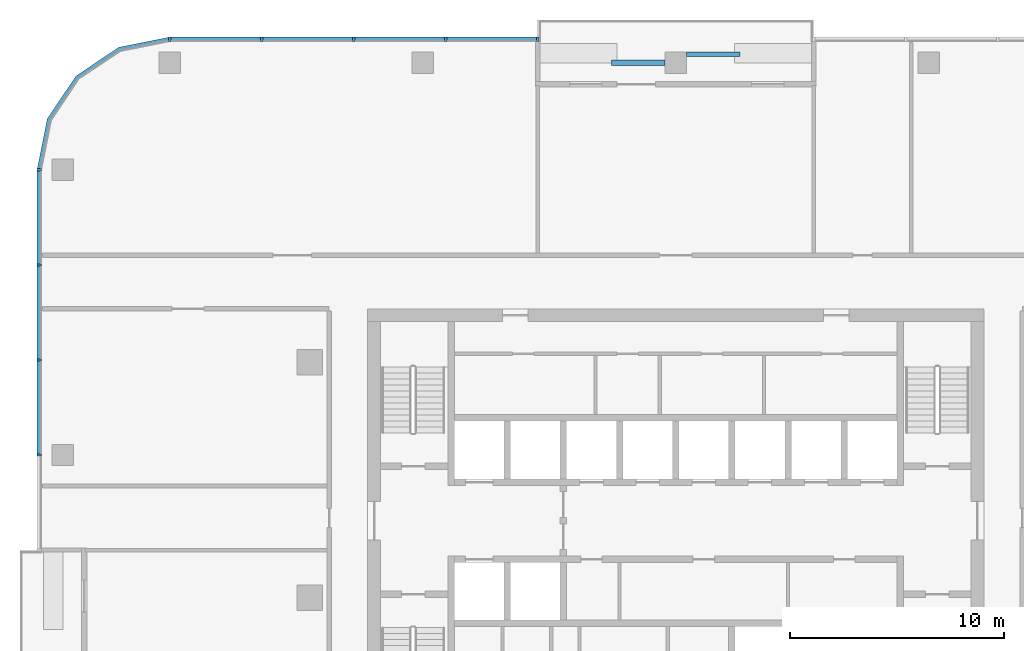
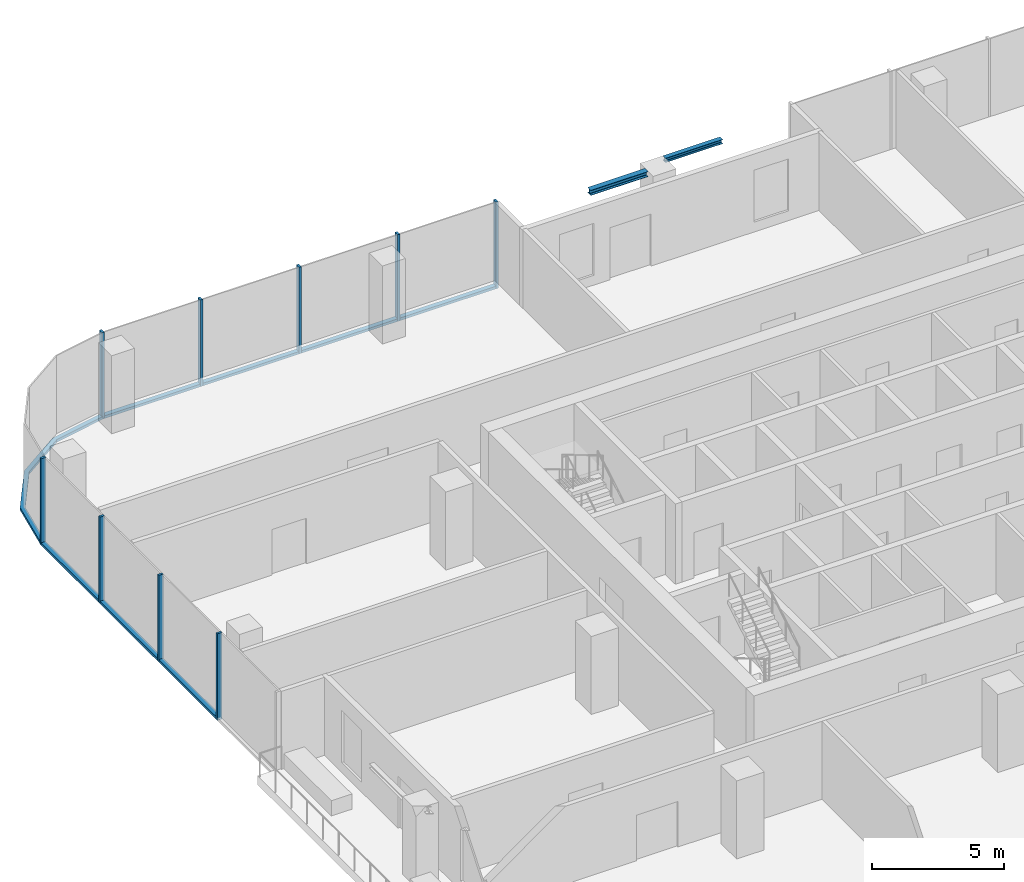
# One storey, part 4 of 13: 17 members, 2 beams, 3 elements without a shape of their own.
"""IFC4 building model written with IfcOpenShell, lengths in metres."""

from ifc_helpers import new_model, si_unit, direction, frame, origin, origin_2d, place, context, subcontext, project, spatial, polyline, rectangle, i_section, outline, extrude, material, material_profile, profile_set, type_object, element, aggregate, save


model = new_model("IFC4")

# Units and contexts
model_context = context("Model", 3, precision=1e-05, world=origin(), true_north=direction((0.0, 1.0)))
body_context = subcontext(model_context, "Body", "Model", "MODEL_VIEW")
ifc_project = project(units=[si_unit("LENGTHUNIT", "METRE"), si_unit("AREAUNIT", "SQUARE_METRE"), si_unit("VOLUMEUNIT", "CUBIC_METRE"), si_unit("PLANEANGLEUNIT", "RADIAN"), si_unit("MASSUNIT", "GRAM", prefix="KILO")], contexts=[model_context])

# Site, building, storey
site_placement = place(None, origin())
site = spatial("IfcSite", under=ifc_project, at=site_placement, CompositionType="ELEMENT")
building_placement = place(site_placement, origin())
building = spatial("IfcBuilding", under=site, at=building_placement, Name="Mopane Tessera Tower", CompositionType="ELEMENT")
storey_placement = place(building_placement, frame((0.0, 0.0, 283.39990234375)))
storey = spatial("IfcBuildingStorey", under=building, at=storey_placement, Name="L61", CompositionType="ELEMENT", Elevation=283.39990234375)

# Curtain wall, members
ifc_material_1 = material(Name="Aluminium frame", Category="aluminium")
curtain_wall_type = type_object("IfcCurtainWallType", Name="Unitised curtain wall", PredefinedType="NOTDEFINED", material=ifc_material_1)
curtain_wall_1_placement = place(storey_placement, origin())
curtain_wall_1 = element("IfcCurtainWall", 1, at=curtain_wall_1_placement, inside=storey, type_object=curtain_wall_type, Name="e:cw:L61:N:7", PredefinedType="NOTDEFINED")
ifc_material_2 = material(Name="Aluminium frame", Category="aluminium")
ifc_material_profile_1 = material_profile(ifc_material_2, rectangle(XDim=0.10009765625, YDim=0.199951171875, at=origin_2d()))
ifc_profile_set_1 = profile_set([ifc_material_profile_1], Name="Aluminium frame")
member_type_1 = type_object("IfcMemberType", Name="Aluminium mullion 100 x 200", PredefinedType="MULLION", material=ifc_profile_set_1)
member_1_placement = place(storey_placement, frame((-6.449951171875, 26.10009765625, -0.39990234375), z_axis=(0.0, 0.0, 1.0), x_axis=(-1.0, 0.0, 0.0)))
member_1 = element("IfcMember", 2, at=member_1_placement, type_object=member_type_1, Name="e:cw:L61:N:7:mu7", PredefinedType="MULLION", context=body_context, shape_type="SweptSolid", body=[
    extrude(rectangle(XDim=0.10009765625, YDim=0.199951171875, at=origin_2d()), origin(), (0.0, 0.0, 1.0), 4.0),
])
member_2_placement = place(storey_placement, frame((-10.75, 26.10009765625, -0.39990234375), z_axis=(0.0, 0.0, 1.0), x_axis=(-1.0, 0.0, 0.0)))
member_2 = element("IfcMember", 3, at=member_2_placement, type_object=member_type_1, Name="e:cw:L61:N:7:mu8", PredefinedType="MULLION", context=body_context, shape_type="SweptSolid", body=[
    extrude(rectangle(XDim=0.10009765625, YDim=0.199951171875, at=origin_2d()), origin(), (0.0, 0.0, 1.0), 4.0),
])
member_3_placement = place(storey_placement, frame((-15.050048828125, 26.10009765625, -0.39990234375), z_axis=(0.0, 0.0, 1.0), x_axis=(-1.0, 0.0, 0.0)))
member_3 = element("IfcMember", 4, at=member_3_placement, type_object=member_type_1, Name="e:cw:L61:N:7:mu9", PredefinedType="MULLION", context=body_context, shape_type="SweptSolid", body=[
    extrude(rectangle(XDim=0.10009765625, YDim=0.199951171875, at=origin_2d()), origin(), (0.0, 0.0, 1.0), 4.0),
])
member_4_placement = place(storey_placement, frame((-19.35009765625, 26.10009765625, -0.39990234375), z_axis=(0.0, 0.0, 1.0), x_axis=(-1.0, 0.0, 0.0)))
member_4 = element("IfcMember", 5, at=member_4_placement, type_object=member_type_1, Name="e:cw:L61:N:7:mu10", PredefinedType="MULLION", context=body_context, shape_type="SweptSolid", body=[
    extrude(rectangle(XDim=0.10009765625, YDim=0.199951171875, at=origin_2d()), origin(), (0.0, 0.0, 1.0), 4.0),
])
member_5_placement = place(storey_placement, frame((-23.64990234375, 26.10009765625, -0.39990234375), z_axis=(0.0, 0.0, 1.0), x_axis=(-1.0, 0.0, 0.0)))
member_5 = element("IfcMember", 6, at=member_5_placement, type_object=member_type_1, Name="e:cw:L61:N:7:mu11", PredefinedType="MULLION", context=body_context, shape_type="SweptSolid", body=[
    extrude(rectangle(XDim=0.10009765625, YDim=0.199951171875, at=origin_2d()), origin(), (0.0, 0.0, 1.0), 4.0),
])

curtain_wall_2_placement = place(storey_placement, origin())
curtain_wall_2 = element("IfcCurtainWall", 7, at=curtain_wall_2_placement, inside=storey, type_object=curtain_wall_type, Name="e:cw:L61:W:0", PredefinedType="NOTDEFINED")
member_6_placement = place(storey_placement, frame((-29.75, 20.0, -0.39990234375), z_axis=(0.0, 0.0, 1.0), x_axis=(0.0, -1.0, 0.0)))
member_6 = element("IfcMember", 8, at=member_6_placement, type_object=member_type_1, Name="e:cw:L61:W:0:mu0", PredefinedType="MULLION", context=body_context, shape_type="SweptSolid", body=[
    extrude(rectangle(XDim=0.10009765625, YDim=0.199951171875, at=origin_2d()), origin(), (0.0, 0.0, 1.0), 4.0),
])
member_7_placement = place(storey_placement, frame((-29.75, 15.5556640625, -0.39990234375), z_axis=(0.0, 0.0, 1.0), x_axis=(0.0, -1.0, 0.0)))
member_7 = element("IfcMember", 9, at=member_7_placement, type_object=member_type_1, Name="e:cw:L61:W:0:mu1", PredefinedType="MULLION", context=body_context, shape_type="SweptSolid", body=[
    extrude(rectangle(XDim=0.10009765625, YDim=0.199951171875, at=origin_2d()), origin(), (0.0, 0.0, 1.0), 4.0),
])
member_8_placement = place(storey_placement, frame((-29.75, 11.111083984375, -0.39990234375), z_axis=(0.0, 0.0, 1.0), x_axis=(0.0, -1.0, 0.0)))
member_8 = element("IfcMember", 10, at=member_8_placement, type_object=member_type_1, Name="e:cw:L61:W:0:mu2", PredefinedType="MULLION", context=body_context, shape_type="SweptSolid", body=[
    extrude(rectangle(XDim=0.10009765625, YDim=0.199951171875, at=origin_2d()), origin(), (0.0, 0.0, 1.0), 4.0),
])
member_9_placement = place(storey_placement, frame((-29.75, 6.666748046875, -0.39990234375), z_axis=(0.0, 0.0, 1.0), x_axis=(0.0, -1.0, 0.0)))
member_9 = element("IfcMember", 11, at=member_9_placement, type_object=member_type_1, Name="e:cw:L61:W:0:mu3", PredefinedType="MULLION", context=body_context, shape_type="SweptSolid", body=[
    extrude(rectangle(XDim=0.10009765625, YDim=0.199951171875, at=origin_2d()), origin(), (0.0, 0.0, 1.0), 4.0),
])

# Member
ifc_material_3 = material(Name="Aluminium frame", Category="aluminium")
ifc_material_profile_2 = material_profile(ifc_material_3, rectangle(XDim=0.199951171875, YDim=0.1201171875, at=origin_2d()))
ifc_profile_set_2 = profile_set([ifc_material_profile_2], Name="Aluminium frame")
member_type_2 = type_object("IfcMemberType", Name="Aluminium transom 200 x 120", PredefinedType="USERDEFINED", material=ifc_profile_set_2)
member_10_placement = place(storey_placement, frame((-6.5, 26.10009765625, -0.33984375), z_axis=(-1.0, 0.0, 0.0), x_axis=(0.0, -1.0, 0.0)))
member_10 = element("IfcMember", 12, at=member_10_placement, type_object=member_type_2, Name="e:cw:L61:N:7:tr7", ObjectType="TRANSOM", PredefinedType="USERDEFINED", context=body_context, shape_type="SweptSolid", body=[
    extrude(rectangle(XDim=0.199951171875, YDim=0.1201171875, at=origin_2d()), origin(), (0.0, 0.0, 1.0), 4.199951171875),
])

member_11_placement = place(storey_placement, frame((-10.800048828125, 26.10009765625, -0.33984375), z_axis=(-1.0, 0.0, 0.0), x_axis=(0.0, -1.0, 0.0)))
member_11 = element("IfcMember", 13, at=member_11_placement, type_object=member_type_2, Name="e:cw:L61:N:7:tr8", ObjectType="TRANSOM", PredefinedType="USERDEFINED", context=body_context, shape_type="SweptSolid", body=[
    extrude(rectangle(XDim=0.199951171875, YDim=0.1201171875, at=origin_2d()), origin(), (0.0, 0.0, 1.0), 4.199951171875),
])

member_12_placement = place(storey_placement, frame((-15.10009765625, 26.10009765625, -0.33984375), z_axis=(-1.0, 0.0, 0.0), x_axis=(0.0, -1.0, 0.0)))
member_12 = element("IfcMember", 14, at=member_12_placement, type_object=member_type_2, Name="e:cw:L61:N:7:tr9", ObjectType="TRANSOM", PredefinedType="USERDEFINED", context=body_context, shape_type="SweptSolid", body=[
    extrude(rectangle(XDim=0.199951171875, YDim=0.1201171875, at=origin_2d()), origin(), (0.0, 0.0, 1.0), 4.199951171875),
])

member_13_placement = place(storey_placement, frame((-19.39990234375, 26.10009765625, -0.33984375), z_axis=(-1.0, 0.0, 0.0), x_axis=(0.0, -1.0, 0.0)))
member_13 = element("IfcMember", 15, at=member_13_placement, type_object=member_type_2, Name="e:cw:L61:N:7:tr10", ObjectType="TRANSOM", PredefinedType="USERDEFINED", context=body_context, shape_type="SweptSolid", body=[
    extrude(rectangle(XDim=0.199951171875, YDim=0.1201171875, at=origin_2d()), origin(), (0.0, 0.0, 1.0), 4.2001953125),
])

aggregate(curtain_wall_1, [member_1, member_2, member_3, member_4, member_5, member_10, member_11, member_12, member_13])

# Curtain wall, member
curtain_wall_3_placement = place(storey_placement, origin())
curtain_wall_3 = element("IfcCurtainWall", 16, at=curtain_wall_3_placement, inside=storey, type_object=curtain_wall_type, Name="e:cw:L61:CN", PredefinedType="NOTDEFINED")
member_14_placement = place(storey_placement, frame((0.0, 0.0, -0.39990234375)))
member_14 = element("IfcMember", 17, at=member_14_placement, type_object=member_type_2, Name="e:cw:L61:CN:tr", ObjectType="TRANSOM", PredefinedType="USERDEFINED", context=body_context, shape_type="SweptSolid", body=[
    extrude(outline(polyline([(-23.64990234375, 26.0), (-25.946044921875, 25.543212890625), (-27.892578125, 24.24267578125), (-29.193359375, 22.296142578125), (-29.64990234375, 20.0), (-29.85009765625, 20.0), (-29.378173828125, 22.37255859375), (-28.0341796875, 24.384033203125), (-26.022705078125, 25.72802734375), (-23.64990234375, 26.199951171875), (-23.64990234375, 26.0)])), origin(), (0.0, 0.0, 1.0), 0.1201171875),
])
aggregate(curtain_wall_3, [member_14])

# Member
member_15_placement = place(storey_placement, frame((-29.75, 19.949951171875, -0.33984375), z_axis=(0.0, -1.0, 0.0), x_axis=(1.0, 0.0, 0.0)))
member_15 = element("IfcMember", 18, at=member_15_placement, type_object=member_type_2, Name="e:cw:L61:W:0:tr0", ObjectType="TRANSOM", PredefinedType="USERDEFINED", context=body_context, shape_type="SweptSolid", body=[
    extrude(rectangle(XDim=0.199951171875, YDim=0.1201171875, at=origin_2d()), origin(), (0.0, 0.0, 1.0), 4.344482421875),
])

member_16_placement = place(storey_placement, frame((-29.75, 15.505615234375, -0.33984375), z_axis=(0.0, -1.0, 0.0), x_axis=(1.0, 0.0, 0.0)))
member_16 = element("IfcMember", 19, at=member_16_placement, type_object=member_type_2, Name="e:cw:L61:W:0:tr1", ObjectType="TRANSOM", PredefinedType="USERDEFINED", context=body_context, shape_type="SweptSolid", body=[
    extrude(rectangle(XDim=0.199951171875, YDim=0.1201171875, at=origin_2d()), origin(), (0.0, 0.0, 1.0), 4.344482421875),
])

member_17_placement = place(storey_placement, frame((-29.75, 11.06103515625, -0.33984375), z_axis=(0.0, -1.0, 0.0), x_axis=(1.0, 0.0, 0.0)))
member_17 = element("IfcMember", 20, at=member_17_placement, type_object=member_type_2, Name="e:cw:L61:W:0:tr2", ObjectType="TRANSOM", PredefinedType="USERDEFINED", context=body_context, shape_type="SweptSolid", body=[
    extrude(rectangle(XDim=0.199951171875, YDim=0.1201171875, at=origin_2d()), origin(), (0.0, 0.0, 1.0), 4.344482421875),
])

aggregate(curtain_wall_2, [member_6, member_7, member_8, member_9, member_15, member_16, member_17])

# Beams
ifc_material_4 = material(Name="Structural steel S460", Category="steel")
ifc_material_profile_3 = material_profile(ifc_material_4, i_section(OverallWidth=0.239990234375, OverallDepth=0.239990234375, WebThickness=0.010009765625, FlangeThickness=0.01708984375, FilletRadius=0.02099609375, at=origin_2d()))
ifc_profile_set_3 = profile_set([ifc_material_profile_3], Name="Structural steel S460")
beam_type_1 = type_object("IfcBeamType", Name="Terrace spandrel beam HE 240 B", PredefinedType="SPANDREL", material=ifc_profile_set_3)
beam_1_placement = place(storey_placement, frame((-0.5029296875, 25.0, 3.47998046875), z_axis=(-1.0, 0.0, 0.0), x_axis=(0.0, -1.0, 0.0)))
element("IfcBeam", 21, at=beam_1_placement, inside=storey, type_object=beam_type_1, Name="Terrace spandrel beam N2 L62", PredefinedType="SPANDREL", context=body_context, shape_type="SweptSolid", body=[
    extrude(i_section(OverallWidth=0.239990234375, OverallDepth=0.239990234375, WebThickness=0.010009765625, FlangeThickness=0.01708984375, FilletRadius=0.02099609375, at=origin_2d()), origin(), (0.0, 0.0, 1.0), 2.5),
])
ifc_material_5 = material(Name="Structural steel S460", Category="steel")
ifc_material_profile_4 = material_profile(ifc_material_5, i_section(OverallWidth=0.199951171875, OverallDepth=0.199951171875, WebThickness=0.009033203125, FlangeThickness=0.014892578125, FilletRadius=0.01806640625, at=origin_2d()))
ifc_profile_set_4 = profile_set([ifc_material_profile_4], Name="Structural steel S460")
beam_type_2 = type_object("IfcBeamType", Name="Terrace trimmer beam HE 200 B", PredefinedType="BEAM", material=ifc_profile_set_4)
beam_2_placement = place(storey_placement, frame((0.5029296875, 25.39990234375, 3.5), z_axis=(1.0, 0.0, 0.0), x_axis=(0.0, 1.0, 0.0)))
element("IfcBeam", 22, at=beam_2_placement, inside=storey, type_object=beam_type_2, Name="Terrace trimmer beam N2 L62", PredefinedType="BEAM", context=body_context, shape_type="SweptSolid", body=[
    extrude(i_section(OverallWidth=0.199951171875, OverallDepth=0.199951171875, WebThickness=0.009033203125, FlangeThickness=0.014892578125, FilletRadius=0.01806640625, at=origin_2d()), origin(), (0.0, 0.0, 1.0), 2.5),
])

save(model, "model.ifc")
